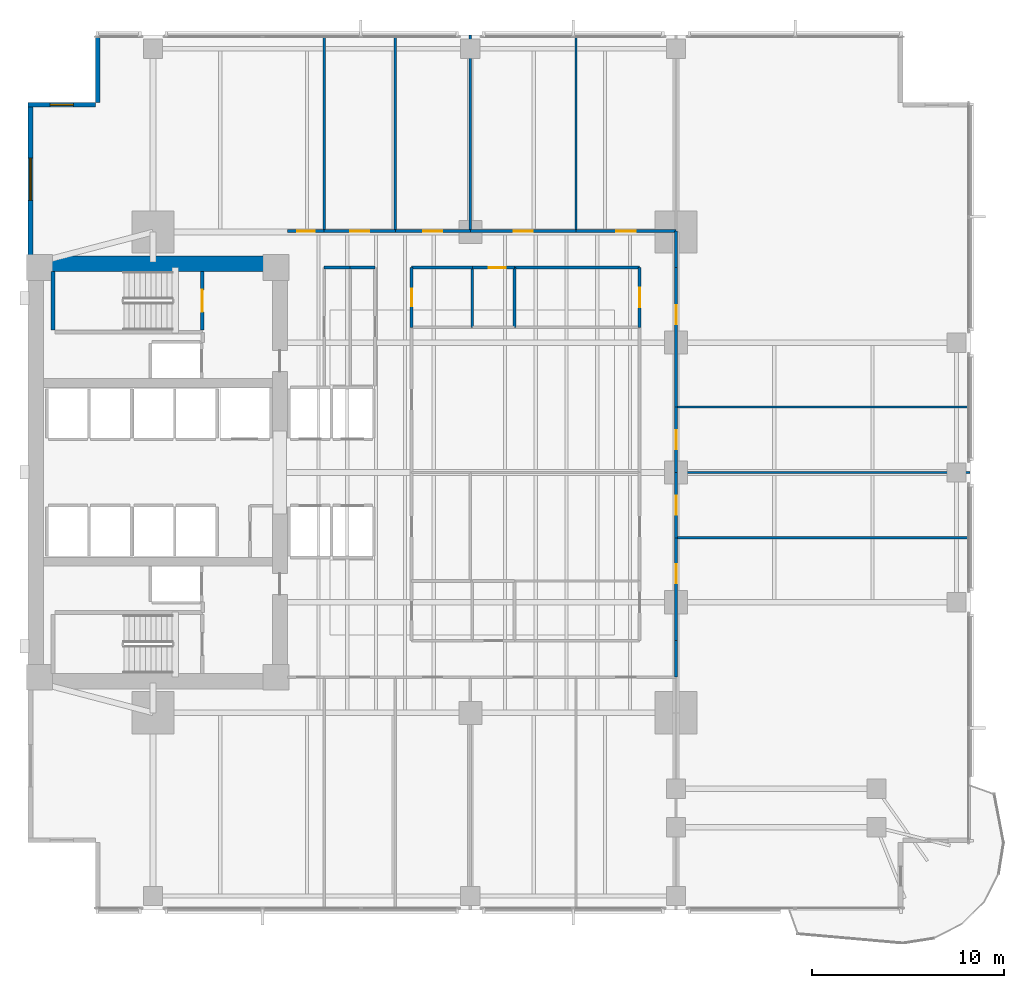
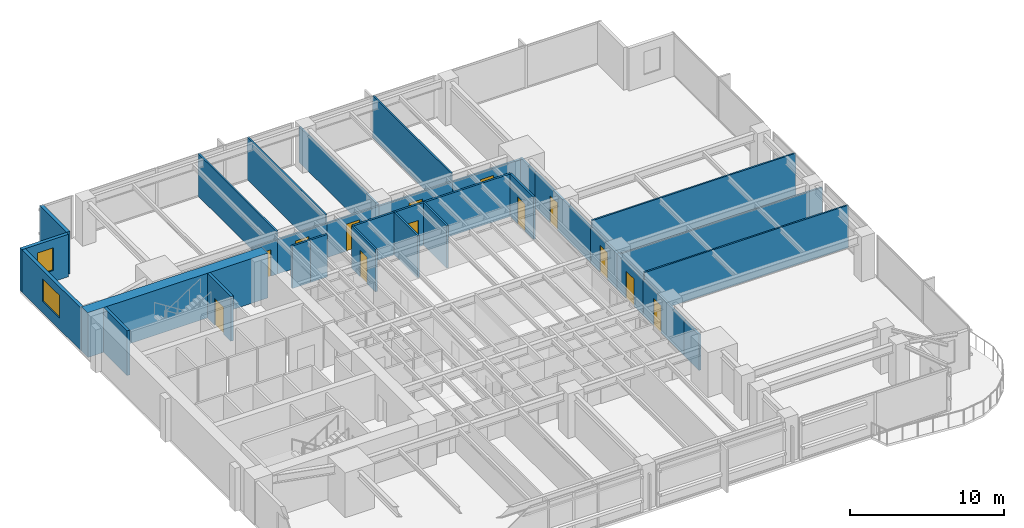
# One storey, part 10 of 15: 33 walls, 13 doors, 2 windows, 15 openings.
"""IFC4 building model written with IfcOpenShell, lengths in metres."""

from ifc_helpers import new_model, si_unit, direction, frame, frame_2d, origin, place, context, subcontext, project, spatial, rectangle, extrude, material, layer, layer_set, type_object, element, fill, save


model = new_model("IFC4")

# Units and contexts
model_context = context("Model", 3, precision=1e-05, world=origin(), true_north=direction((0.0, 1.0)))
body_context = subcontext(model_context, "Body", "Model", "MODEL_VIEW")
ifc_project = project(units=[si_unit("LENGTHUNIT", "METRE"), si_unit("AREAUNIT", "SQUARE_METRE"), si_unit("VOLUMEUNIT", "CUBIC_METRE"), si_unit("PLANEANGLEUNIT", "RADIAN"), si_unit("MASSUNIT", "GRAM", prefix="KILO")], contexts=[model_context])

# Site, building, storey
site_placement = place(None, origin())
site = spatial("IfcSite", under=ifc_project, at=site_placement, CompositionType="ELEMENT")
building_placement = place(site_placement, origin())
building = spatial("IfcBuilding", under=site, at=building_placement, Name="Kinhvarn Gate Tower", CompositionType="ELEMENT")
storey_placement = place(building_placement, frame((0.0, 0.0, 57.550048828125)))
storey = spatial("IfcBuildingStorey", under=building, at=storey_placement, Name="L14", CompositionType="ELEMENT", Elevation=57.550048828125)

# Wall
ifc_material_1 = material(Name="Concrete C70/85", Category="concrete")
ifc_layer_1 = layer(ifc_material_1, 0.800048828125)
ifc_layer_set_1 = layer_set([ifc_layer_1], Name="Concrete C70/85")
wall_type_1 = type_object("IfcWallType", Name="WL-CORE-800", PredefinedType="SHEAR", material=ifc_layer_set_1)
wall_1_placement = place(storey_placement, frame((4.5, 36.10009765625, 0.0), z_axis=(0.0, 0.0, 1.0), x_axis=(1.0, 0.0, 0.0)))
element("IfcWall", 1, at=wall_1_placement, inside=storey, type_object=wall_type_1, Name="Core North Shear Wall L14 800 mm", PredefinedType="SHEAR", context=body_context, shape_type="SweptSolid", body=[
    extrude(rectangle(XDim=13.5, YDim=0.800048828125, at=frame_2d((6.75, 0.0))), origin(), (0.0, 0.0, 1.0), 3.550048828125),
])

# Wall, opening, window
ifc_material_2 = material(Name="Fired architectural terracotta", Category="masonry")
ifc_layer_2 = layer(ifc_material_2, 0.25)
ifc_layer_set_2 = layer_set([ifc_layer_2], Name="Fired architectural terracotta")
wall_type_2 = type_object("IfcWallType", Name="WL-EXT-250", PredefinedType="SOLIDWALL", material=ifc_layer_set_2)
wall_2_placement = place(storey_placement, frame((4.625, 44.5, 0.0), z_axis=(0.0, 0.0, 1.0), x_axis=(0.0, -1.0, 0.0)))
wall_2 = element("IfcWall", 2, at=wall_2_placement, inside=storey, type_object=wall_type_2, Name="Exterior Solidwall Wall EW-250 (L14 West-North)", PredefinedType="SOLIDWALL", context=body_context, shape_type="SweptSolid", body=[
    extrude(rectangle(XDim=8.0, YDim=0.25, at=frame_2d((4.0, 0.0))), origin(), (0.0, 0.0, 1.0), 3.369873046875),
])
opening_1_placement = place(wall_2_placement, frame((2.89990234375, 0.0, 0.89990234375)))
opening_1 = element("IfcOpeningElement", 3, at=opening_1_placement, cuts=wall_2, Name="Opening WN-01", PredefinedType="OPENING", context=body_context, shape_type="SweptSolid", body=[
    extrude(rectangle(XDim=2.199951171875, YDim=1.800048828125, at=frame_2d((1.10009765625, 0.89990234375))), frame((0.0, 0.135009765625, 0.0), z_axis=(0.0, -1.0, 0.0), x_axis=(1.0, 0.0, 0.0)), (0.0, 0.0, 1.0), 0.27001953125),
])
ifc_material_3 = material(Name="Clear low-e double glazing", Category="glass")
window_type_1 = type_object("IfcWindowType", Name="WIN-RIB-2200", PartitioningType="SINGLE_PANEL", PredefinedType="WINDOW", material=ifc_material_3)
window_1_placement = place(opening_1_placement, origin())
window_1 = element("IfcWindow", 4, at=window_1_placement, inside=storey, type_object=window_type_1, Name="West Flank Double-Glazed Ribbon Window 2200x1800 mm (L14)", OverallHeight=1.800048828125, OverallWidth=2.199951171875, PartitioningType="SINGLE_PANEL", PredefinedType="WINDOW", context=body_context, shape_type="SweptSolid", body=[
    extrude(rectangle(XDim=2.199951171875, YDim=1.800048828125, at=frame_2d((1.10009765625, 0.89990234375))), frame((0.0, 0.030029296875, 0.0), z_axis=(0.0, -1.0, 0.0), x_axis=(1.0, 0.0, 0.0)), (0.0, 0.0, 1.0), 0.06005859375),
])
fill(opening_1, window_1)

# Wall
wall_3_placement = place(storey_placement, frame((8.125, 48.0, 0.0), z_axis=(0.0, 0.0, 1.0), x_axis=(0.0, -1.0, 0.0)))
element("IfcWall", 5, at=wall_3_placement, inside=storey, type_object=wall_type_2, Name="Exterior Solidwall Wall EW-250 (L14 NW-Notch-1)", PredefinedType="SOLIDWALL", context=body_context, shape_type="SweptSolid", body=[
    extrude(rectangle(XDim=3.5, YDim=0.25, at=frame_2d((1.75, 0.0))), origin(), (0.0, 0.0, 1.0), 3.369873046875),
])

# Wall, opening, window
wall_4_placement = place(storey_placement, frame((8.0, 44.375, 0.0), z_axis=(0.0, 0.0, 1.0), x_axis=(-1.0, 0.0, 0.0)))
wall_4 = element("IfcWall", 6, at=wall_4_placement, inside=storey, type_object=wall_type_2, Name="Exterior Solidwall Wall EW-250 (L14 NW-Notch-2)", PredefinedType="SOLIDWALL", context=body_context, shape_type="SweptSolid", body=[
    extrude(rectangle(XDim=3.5, YDim=0.25, at=frame_2d((1.75, 0.0))), origin(), (0.0, 0.0, 1.0), 3.369873046875),
])
opening_2_placement = place(wall_4_placement, frame((1.14990234375, 0.0, 0.89990234375)))
opening_2 = element("IfcOpeningElement", 7, at=opening_2_placement, cuts=wall_4, Name="Opening WN-02", PredefinedType="OPENING", context=body_context, shape_type="SweptSolid", body=[
    extrude(rectangle(XDim=1.199951171875, YDim=1.800048828125, at=frame_2d((0.60009765625, 0.89990234375))), frame((0.0, 0.135009765625, 0.0), z_axis=(0.0, -1.0, 0.0), x_axis=(1.0, 0.0, 0.0)), (0.0, 0.0, 1.0), 0.27001953125),
])
window_type_2 = type_object("IfcWindowType", Name="WIN-NTC-1200", PartitioningType="SINGLE_PANEL", PredefinedType="WINDOW", material=ifc_material_3)
window_2_placement = place(opening_2_placement, origin())
window_2 = element("IfcWindow", 8, at=window_2_placement, inside=storey, type_object=window_type_2, Name="Recessed Corner Notch Punched Window 1200x1800 mm (L14)", OverallHeight=1.800048828125, OverallWidth=1.199951171875, PartitioningType="SINGLE_PANEL", PredefinedType="WINDOW", context=body_context, shape_type="SweptSolid", body=[
    extrude(rectangle(XDim=1.199951171875, YDim=1.800048828125, at=frame_2d((0.60009765625, 0.89990234375))), frame((0.0, 0.030029296875, 0.0), z_axis=(0.0, -1.0, 0.0), x_axis=(1.0, 0.0, 0.0)), (0.0, 0.0, 1.0), 0.06005859375),
])
fill(opening_2, window_2)

# Walls
ifc_material_4 = material(Name="Gypsum acoustic partition board")
ifc_layer_3 = layer(ifc_material_4, 0.14990234375)
ifc_layer_set_3 = layer_set([ifc_layer_3], Name="Gypsum acoustic partition board")
wall_type_3 = type_object("IfcWallType", Name="WL-PLM-150", PredefinedType="PLUMBINGWALL", material=ifc_layer_set_3)
for number, where, z_axis, x_axis, name in (
    (9, (27.60009765625, 32.800048828125, 0.0), (0.0, 0.0, 1.0), (0.0, 1.0, 0.0), "Interior Partition PLW-150 (L14)"),
    (10, (29.800048828125, 32.800048828125, 0.0), (0.0, 0.0, 1.0), (0.0, 1.0, 0.0), "Interior Partition PLW-150 (L14)"),
):
    element("IfcWall", number, at=place(storey_placement, frame(where, z_axis=z_axis, x_axis=x_axis)), inside=storey, type_object=wall_type_3, Name=name, PredefinedType="PLUMBINGWALL", context=body_context, shape_type="SweptSolid", body=[
        extrude(rectangle(XDim=3.099853515625, YDim=0.14990234375, at=frame_2d((1.5498046875, 0.0))), origin(), (0.0, 0.0, 1.0), 3.369873046875),
    ])

# Wall, opening, door
ifc_layer_4 = layer(ifc_material_4, 0.14990234375)
ifc_layer_set_4 = layer_set([ifc_layer_4], Name="Gypsum acoustic partition board")
wall_type_4 = type_object("IfcWallType", Name="WL-PLM-150F", PredefinedType="PLUMBINGWALL", material=ifc_layer_set_4)
wall_5_placement = place(storey_placement, frame((24.449951171875, 32.800048828125, 0.0), z_axis=(0.0, 0.0, 1.0), x_axis=(0.0, 1.0, 0.0)))
wall_5 = element("IfcWall", 11, at=wall_5_placement, inside=storey, type_object=wall_type_4, Name="Interior Partition PLW-150F (L14)", PredefinedType="PLUMBINGWALL", context=body_context, shape_type="SweptSolid", body=[
    extrude(rectangle(XDim=3.099853515625, YDim=0.14990234375, at=frame_2d((1.5498046875, 0.0))), origin(), (0.0, 0.0, 1.0), 3.369873046875),
])
opening_3_placement = place(wall_5_placement, frame((1.10009765625, 0.0, 0.0)))
opening_3 = element("IfcOpeningElement", 12, at=opening_3_placement, cuts=wall_5, Name="Opening FD-04", PredefinedType="OPENING", context=body_context, shape_type="SweptSolid", body=[
    extrude(rectangle(XDim=0.89990234375, YDim=2.10009765625, at=frame_2d((0.449951171875, 1.050048828125))), frame((0.0, 0.0849609375, 0.0), z_axis=(0.0, -1.0, 0.0), x_axis=(1.0, 0.0, 0.0)), (0.0, 0.0, 1.0), 0.169921875),
])
ifc_material_5 = material(Name="Anodised aluminium AW-6063", Category="aluminium")
door_type_1 = type_object("IfcDoorType", Name="DR-FD-900", OperationType="NOTDEFINED", PredefinedType="DOOR", material=ifc_material_5)
door_1_placement = place(opening_3_placement, origin())
door_1 = element("IfcDoor", 13, at=door_1_placement, inside=storey, type_object=door_type_1, Name="Rated Riser & Service Closet Fire Door 900x2100 mm (L14)", OperationType="SINGLE_SWING_LEFT", OverallHeight=2.10009765625, OverallWidth=0.89990234375, PredefinedType="DOOR", context=body_context, shape_type="SweptSolid", body=[
    extrude(rectangle(XDim=0.89990234375, YDim=2.10009765625, at=frame_2d((0.449951171875, 1.050048828125))), frame((0.0, 0.02490234375, 0.0), z_axis=(0.0, -1.0, 0.0), x_axis=(1.0, 0.0, 0.0)), (0.0, 0.0, 1.0), 0.050048828125),
])
fill(opening_3, door_1)

# Wall
wall_6_placement = place(storey_placement, frame((24.449951171875, 35.89990234375, 0.0), z_axis=(0.0, 0.0, 1.0), x_axis=(1.0, 0.0, 0.0)))
element("IfcWall", 14, at=wall_6_placement, inside=storey, type_object=wall_type_4, Name="Interior Partition PLW-150F (L14)", PredefinedType="PLUMBINGWALL", context=body_context, shape_type="SweptSolid", body=[
    extrude(rectangle(XDim=3.150146484375, YDim=0.14990234375, at=frame_2d((1.5751953125, 0.0))), origin(), (0.0, 0.0, 1.0), 3.369873046875),
])

# Wall, opening, door
wall_7_placement = place(storey_placement, frame((27.60009765625, 35.89990234375, 0.0), z_axis=(0.0, 0.0, 1.0), x_axis=(1.0, 0.0, 0.0)))
wall_7 = element("IfcWall", 15, at=wall_7_placement, inside=storey, type_object=wall_type_4, Name="Interior Partition PLW-150F (L14)", PredefinedType="PLUMBINGWALL", context=body_context, shape_type="SweptSolid", body=[
    extrude(rectangle(XDim=2.199951171875, YDim=0.14990234375, at=frame_2d((1.10009765625, 0.0))), origin(), (0.0, 0.0, 1.0), 3.369873046875),
])
opening_4_placement = place(wall_7_placement, frame((0.85107421875, 0.0, 0.0)))
opening_4 = element("IfcOpeningElement", 16, at=opening_4_placement, cuts=wall_7, Name="Opening FD-04", PredefinedType="OPENING", context=body_context, shape_type="SweptSolid", body=[
    extrude(rectangle(XDim=0.89990234375, YDim=2.10009765625, at=frame_2d((0.449951171875, 1.050048828125))), frame((0.0, 0.0849609375, 0.0), z_axis=(0.0, -1.0, 0.0), x_axis=(1.0, 0.0, 0.0)), (0.0, 0.0, 1.0), 0.169921875),
])
door_2_placement = place(opening_4_placement, origin())
door_2 = element("IfcDoor", 17, at=door_2_placement, inside=storey, type_object=door_type_1, Name="Rated Riser & Service Closet Fire Door 900x2100 mm (L14)", OperationType="SINGLE_SWING_LEFT", OverallHeight=2.10009765625, OverallWidth=0.89990234375, PredefinedType="DOOR", context=body_context, shape_type="SweptSolid", body=[
    extrude(rectangle(XDim=0.89990234375, YDim=2.10009765625, at=frame_2d((0.449951171875, 1.050048828125))), frame((0.0, 0.02490234375, 0.0), z_axis=(0.0, -1.0, 0.0), x_axis=(1.0, 0.0, 0.0)), (0.0, 0.0, 1.0), 0.050048828125),
])
fill(opening_4, door_2)

# Walls
ifc_layer_5 = layer(ifc_material_4, 0.1201171875)
ifc_layer_set_5 = layer_set([ifc_layer_5], Name="Gypsum acoustic partition board")
wall_type_5 = type_object("IfcWallType", Name="WL-PRT-120", PredefinedType="PARTITIONING", material=ifc_layer_set_5)
for number, where, z_axis, x_axis, name in (
    (18, (19.89990234375, 37.800048828125, 0.0), (0.0, 0.0, 1.0), (0.0, 1.0, 0.0), "Interior Partition PW-120 (L14)"),
    (19, (23.60009765625, 37.800048828125, 0.0), (0.0, 0.0, 1.0), (0.0, 1.0, 0.0), "Interior Partition PW-120 (L14)"),
):
    element("IfcWall", number, at=place(storey_placement, frame(where, z_axis=z_axis, x_axis=x_axis)), inside=storey, type_object=wall_type_5, Name=name, PredefinedType="PARTITIONING", context=body_context, shape_type="SweptSolid", body=[
        extrude(rectangle(XDim=10.18994140625, YDim=0.1201171875, at=frame_2d((5.094970703125, 0.0))), origin(), (0.0, 0.0, 1.0), 3.369873046875),
    ])
wall_8_placement = place(storey_placement, frame((27.5, 37.800048828125, 0.0), z_axis=(0.0, 0.0, 1.0), x_axis=(0.0, 1.0, 0.0)))
element("IfcWall", 20, at=wall_8_placement, inside=storey, type_object=wall_type_5, Name="Interior Partition PW-120 (L14)", PredefinedType="PARTITIONING", context=body_context, shape_type="SweptSolid", body=[
    extrude(rectangle(XDim=10.18994140625, YDim=0.1201171875, at=frame_2d((5.094970703125, 0.0))), origin(), (0.0, 0.0, 1.0), 2.820068359375),
])
wall_9_placement = place(storey_placement, frame((33.0, 37.800048828125, 0.0), z_axis=(0.0, 0.0, 1.0), x_axis=(0.0, 1.0, 0.0)))
element("IfcWall", 21, at=wall_9_placement, inside=storey, type_object=wall_type_5, Name="Interior Partition PW-120 (L14)", PredefinedType="PARTITIONING", context=body_context, shape_type="SweptSolid", body=[
    extrude(rectangle(XDim=10.18994140625, YDim=0.1201171875, at=frame_2d((5.094970703125, 0.0))), origin(), (0.0, 0.0, 1.0), 3.369873046875),
])
wall_10_placement = place(storey_placement, frame((38.199951171875, 21.85009765625, 0.0), z_axis=(0.0, 0.0, 1.0), x_axis=(1.0, 0.0, 0.0)))
element("IfcWall", 22, at=wall_10_placement, inside=storey, type_object=wall_type_5, Name="Interior Partition PW-120 (L14)", PredefinedType="PARTITIONING", context=body_context, shape_type="SweptSolid", body=[
    extrude(rectangle(XDim=15.2900390625, YDim=0.1201171875, at=frame_2d((7.64501953125, 0.0))), origin(), (0.0, 0.0, 1.0), 3.369873046875),
])
wall_11_placement = place(storey_placement, frame((38.199951171875, 25.25, 0.0), z_axis=(0.0, 0.0, 1.0), x_axis=(1.0, 0.0, 0.0)))
element("IfcWall", 23, at=wall_11_placement, inside=storey, type_object=wall_type_5, Name="Interior Partition PW-120 (L14)", PredefinedType="PARTITIONING", context=body_context, shape_type="SweptSolid", body=[
    extrude(rectangle(XDim=15.2900390625, YDim=0.1201171875, at=frame_2d((7.64501953125, 0.0))), origin(), (0.0, 0.0, 1.0), 2.719970703125),
])
wall_12_placement = place(storey_placement, frame((38.199951171875, 28.64990234375, 0.0), z_axis=(0.0, 0.0, 1.0), x_axis=(1.0, 0.0, 0.0)))
element("IfcWall", 24, at=wall_12_placement, inside=storey, type_object=wall_type_5, Name="Interior Partition PW-120 (L14)", PredefinedType="PARTITIONING", context=body_context, shape_type="SweptSolid", body=[
    extrude(rectangle(XDim=15.2900390625, YDim=0.1201171875, at=frame_2d((7.64501953125, 0.0))), origin(), (0.0, 0.0, 1.0), 3.369873046875),
])
ifc_layer_6 = layer(ifc_material_4, 0.14990234375)
ifc_layer_set_6 = layer_set([ifc_layer_6], Name="Gypsum acoustic partition board")
wall_type_6 = type_object("IfcWallType", Name="WL-PRT-150F", PredefinedType="PARTITIONING", material=ifc_layer_set_6)
wall_13_placement = place(storey_placement, frame((38.199951171875, 14.60009765625, 0.0), z_axis=(0.0, 0.0, 1.0), x_axis=(0.0, 1.0, 0.0)))
element("IfcWall", 25, at=wall_13_placement, inside=storey, type_object=wall_type_6, Name="Interior Partition PW-150F (L14)", PredefinedType="PARTITIONING", context=body_context, shape_type="SweptSolid", body=[
    extrude(rectangle(XDim=1.89990234375, YDim=0.14990234375, at=frame_2d((0.949951171875, 0.0))), origin(), (0.0, 0.0, 1.0), 2.820068359375),
])
wall_14_placement = place(storey_placement, frame((19.89990234375, 35.89990234375, 0.0), z_axis=(0.0, 0.0, 1.0), x_axis=(1.0, 0.0, 0.0)))
element("IfcWall", 26, at=wall_14_placement, inside=storey, type_object=wall_type_6, Name="Interior Partition PW-150F (L14)", PredefinedType="PARTITIONING", context=body_context, shape_type="SweptSolid", body=[
    extrude(rectangle(XDim=1.35009765625, YDim=0.14990234375, at=frame_2d((0.675048828125, 0.0))), origin(), (0.0, 0.0, 1.0), 3.369873046875),
])
wall_15_placement = place(storey_placement, frame((21.25, 35.89990234375, 0.0), z_axis=(0.0, 0.0, 1.0), x_axis=(1.0, 0.0, 0.0)))
element("IfcWall", 27, at=wall_15_placement, inside=storey, type_object=wall_type_6, Name="Interior Partition PW-150F (L14)", PredefinedType="PARTITIONING", context=body_context, shape_type="SweptSolid", body=[
    extrude(rectangle(XDim=1.300048828125, YDim=0.14990234375, at=frame_2d((0.64990234375, 0.0))), origin(), (0.0, 0.0, 1.0), 3.369873046875),
])
wall_16_placement = place(storey_placement, frame((29.800048828125, 35.89990234375, 0.0), z_axis=(0.0, 0.0, 1.0), x_axis=(1.0, 0.0, 0.0)))
element("IfcWall", 28, at=wall_16_placement, inside=storey, type_object=wall_type_6, Name="Interior Partition PW-150F (L14)", PredefinedType="PARTITIONING", context=body_context, shape_type="SweptSolid", body=[
    extrude(rectangle(XDim=6.5, YDim=0.14990234375, at=frame_2d((3.25, 0.0))), origin(), (0.0, 0.0, 1.0), 3.369873046875),
])

# Wall, opening, door
wall_17_placement = place(storey_placement, frame((18.0, 37.800048828125, 0.0), z_axis=(0.0, 0.0, 1.0), x_axis=(1.0, 0.0, 0.0)))
wall_17 = element("IfcWall", 29, at=wall_17_placement, inside=storey, type_object=wall_type_6, Name="Interior Partition PW-150F (L14)", PredefinedType="PARTITIONING", context=body_context, shape_type="SweptSolid", body=[
    extrude(rectangle(XDim=1.89990234375, YDim=0.14990234375, at=frame_2d((0.949951171875, 0.0))), origin(), (0.0, 0.0, 1.0), 2.719970703125),
])
opening_5_placement = place(wall_17_placement, frame((0.5, 0.0, 0.0)))
opening_5 = element("IfcOpeningElement", 30, at=opening_5_placement, cuts=wall_17, Name="Opening ID-03", PredefinedType="OPENING", context=body_context, shape_type="SweptSolid", body=[
    extrude(rectangle(XDim=0.89990234375, YDim=2.10009765625, at=frame_2d((0.449951171875, 1.050048828125))), frame((0.0, 0.0849609375, 0.0), z_axis=(0.0, -1.0, 0.0), x_axis=(1.0, 0.0, 0.0)), (0.0, 0.0, 1.0), 0.169921875),
])
door_type_2 = type_object("IfcDoorType", Name="DR-INT-900", OperationType="NOTDEFINED", PredefinedType="DOOR", material=ifc_material_5)
door_3_placement = place(opening_5_placement, origin())
door_3 = element("IfcDoor", 31, at=door_3_placement, inside=storey, type_object=door_type_2, Name="Cellular Office & Restroom Door 900x2100 mm (L14)", OperationType="SINGLE_SWING_RIGHT", OverallHeight=2.10009765625, OverallWidth=0.89990234375, PredefinedType="DOOR", context=body_context, shape_type="SweptSolid", body=[
    extrude(rectangle(XDim=0.89990234375, YDim=2.10009765625, at=frame_2d((0.449951171875, 1.050048828125))), frame((0.0, 0.02490234375, 0.0), z_axis=(0.0, -1.0, 0.0), x_axis=(1.0, 0.0, 0.0)), (0.0, 0.0, 1.0), 0.050048828125),
])
fill(opening_5, door_3)

wall_18_placement = place(storey_placement, frame((19.89990234375, 37.800048828125, 0.0), z_axis=(0.0, 0.0, 1.0), x_axis=(1.0, 0.0, 0.0)))
wall_18 = element("IfcWall", 32, at=wall_18_placement, inside=storey, type_object=wall_type_6, Name="Interior Partition PW-150F (L14)", PredefinedType="PARTITIONING", context=body_context, shape_type="SweptSolid", body=[
    extrude(rectangle(XDim=3.7001953125, YDim=0.14990234375, at=frame_2d((1.85009765625, 0.0))), origin(), (0.0, 0.0, 1.0), 2.719970703125),
])
opening_6_placement = place(wall_18_placement, frame((1.35009765625, 0.0, 0.0)))
opening_6 = element("IfcOpeningElement", 33, at=opening_6_placement, cuts=wall_18, Name="Opening ID-02", PredefinedType="OPENING", context=body_context, shape_type="SweptSolid", body=[
    extrude(rectangle(XDim=1.0, YDim=2.14990234375, at=frame_2d((0.5, 1.074951171875))), frame((0.0, 0.0849609375, 0.0), z_axis=(0.0, -1.0, 0.0), x_axis=(1.0, 0.0, 0.0)), (0.0, 0.0, 1.0), 0.169921875),
])
door_type_3 = type_object("IfcDoorType", Name="DR-INT-1000", OperationType="NOTDEFINED", PredefinedType="DOOR", material=ifc_material_5)
door_4_placement = place(opening_6_placement, origin())
door_4 = element("IfcDoor", 34, at=door_4_placement, inside=storey, type_object=door_type_3, Name="Standard Office & Meeting Room Door 1000x2150 mm (L14)", OperationType="SINGLE_SWING_LEFT", OverallHeight=2.14990234375, OverallWidth=1.0, PredefinedType="DOOR", context=body_context, shape_type="SweptSolid", body=[
    extrude(rectangle(XDim=1.0, YDim=2.14990234375, at=frame_2d((0.5, 1.074951171875))), frame((0.0, 0.02490234375, 0.0), z_axis=(0.0, -1.0, 0.0), x_axis=(1.0, 0.0, 0.0)), (0.0, 0.0, 1.0), 0.050048828125),
])
fill(opening_6, door_4)

wall_19_placement = place(storey_placement, frame((23.60009765625, 37.800048828125, 0.0), z_axis=(0.0, 0.0, 1.0), x_axis=(1.0, 0.0, 0.0)))
wall_19 = element("IfcWall", 35, at=wall_19_placement, inside=storey, type_object=wall_type_6, Name="Interior Partition PW-150F (L14)", PredefinedType="PARTITIONING", context=body_context, shape_type="SweptSolid", body=[
    extrude(rectangle(XDim=3.89990234375, YDim=0.14990234375, at=frame_2d((1.949951171875, 0.0))), origin(), (0.0, 0.0, 1.0), 2.719970703125),
])
opening_7_placement = place(wall_19_placement, frame((1.449951171875, 0.0, 0.0)))
opening_7 = element("IfcOpeningElement", 36, at=opening_7_placement, cuts=wall_19, Name="Opening ID-02", PredefinedType="OPENING", context=body_context, shape_type="SweptSolid", body=[
    extrude(rectangle(XDim=1.0, YDim=2.14990234375, at=frame_2d((0.5, 1.074951171875))), frame((0.0, 0.0849609375, 0.0), z_axis=(0.0, -1.0, 0.0), x_axis=(1.0, 0.0, 0.0)), (0.0, 0.0, 1.0), 0.169921875),
])
door_5_placement = place(opening_7_placement, origin())
door_5 = element("IfcDoor", 37, at=door_5_placement, inside=storey, type_object=door_type_3, Name="Standard Office & Meeting Room Door 1000x2150 mm (L14)", OperationType="SINGLE_SWING_RIGHT", OverallHeight=2.14990234375, OverallWidth=1.0, PredefinedType="DOOR", context=body_context, shape_type="SweptSolid", body=[
    extrude(rectangle(XDim=1.0, YDim=2.14990234375, at=frame_2d((0.5, 1.074951171875))), frame((0.0, 0.02490234375, 0.0), z_axis=(0.0, -1.0, 0.0), x_axis=(1.0, 0.0, 0.0)), (0.0, 0.0, 1.0), 0.050048828125),
])
fill(opening_7, door_5)

wall_20_placement = place(storey_placement, frame((27.5, 37.800048828125, 0.0), z_axis=(0.0, 0.0, 1.0), x_axis=(1.0, 0.0, 0.0)))
wall_20 = element("IfcWall", 38, at=wall_20_placement, inside=storey, type_object=wall_type_6, Name="Interior Partition PW-150F (L14)", PredefinedType="PARTITIONING", context=body_context, shape_type="SweptSolid", body=[
    extrude(rectangle(XDim=5.5, YDim=0.14990234375, at=frame_2d((2.75, 0.0))), origin(), (0.0, 0.0, 1.0), 2.719970703125),
])
opening_8_placement = place(wall_20_placement, frame((2.25, 0.0, 0.0)))
opening_8 = element("IfcOpeningElement", 39, at=opening_8_placement, cuts=wall_20, Name="Opening ID-02", PredefinedType="OPENING", context=body_context, shape_type="SweptSolid", body=[
    extrude(rectangle(XDim=1.0, YDim=2.14990234375, at=frame_2d((0.5, 1.074951171875))), frame((0.0, 0.0849609375, 0.0), z_axis=(0.0, -1.0, 0.0), x_axis=(1.0, 0.0, 0.0)), (0.0, 0.0, 1.0), 0.169921875),
])
door_6_placement = place(opening_8_placement, origin())
door_6 = element("IfcDoor", 40, at=door_6_placement, inside=storey, type_object=door_type_3, Name="Standard Office & Meeting Room Door 1000x2150 mm (L14)", OperationType="SINGLE_SWING_LEFT", OverallHeight=2.14990234375, OverallWidth=1.0, PredefinedType="DOOR", context=body_context, shape_type="SweptSolid", body=[
    extrude(rectangle(XDim=1.0, YDim=2.14990234375, at=frame_2d((0.5, 1.074951171875))), frame((0.0, 0.02490234375, 0.0), z_axis=(0.0, -1.0, 0.0), x_axis=(1.0, 0.0, 0.0)), (0.0, 0.0, 1.0), 0.050048828125),
])
fill(opening_8, door_6)

wall_21_placement = place(storey_placement, frame((33.0, 37.800048828125, 0.0), z_axis=(0.0, 0.0, 1.0), x_axis=(1.0, 0.0, 0.0)))
wall_21 = element("IfcWall", 41, at=wall_21_placement, inside=storey, type_object=wall_type_6, Name="Interior Partition PW-150F (L14)", PredefinedType="PARTITIONING", context=body_context, shape_type="SweptSolid", body=[
    extrude(rectangle(XDim=5.199951171875, YDim=0.14990234375, at=frame_2d((2.60009765625, 0.0))), origin(), (0.0, 0.0, 1.0), 2.719970703125),
])
opening_9_placement = place(wall_21_placement, frame((2.10009765625, 0.0, 0.0)))
opening_9 = element("IfcOpeningElement", 42, at=opening_9_placement, cuts=wall_21, Name="Opening ID-02", PredefinedType="OPENING", context=body_context, shape_type="SweptSolid", body=[
    extrude(rectangle(XDim=1.0, YDim=2.14990234375, at=frame_2d((0.5, 1.074951171875))), frame((0.0, 0.0849609375, 0.0), z_axis=(0.0, -1.0, 0.0), x_axis=(1.0, 0.0, 0.0)), (0.0, 0.0, 1.0), 0.169921875),
])
door_7_placement = place(opening_9_placement, origin())
door_7 = element("IfcDoor", 43, at=door_7_placement, inside=storey, type_object=door_type_3, Name="Standard Office & Meeting Room Door 1000x2150 mm (L14)", OperationType="SINGLE_SWING_RIGHT", OverallHeight=2.14990234375, OverallWidth=1.0, PredefinedType="DOOR", context=body_context, shape_type="SweptSolid", body=[
    extrude(rectangle(XDim=1.0, YDim=2.14990234375, at=frame_2d((0.5, 1.074951171875))), frame((0.0, 0.02490234375, 0.0), z_axis=(0.0, -1.0, 0.0), x_axis=(1.0, 0.0, 0.0)), (0.0, 0.0, 1.0), 0.050048828125),
])
fill(opening_9, door_7)

# Wall
wall_22_placement = place(storey_placement, frame((38.199951171875, 35.89990234375, 0.0), z_axis=(0.0, 0.0, 1.0), x_axis=(0.0, 1.0, 0.0)))
element("IfcWall", 44, at=wall_22_placement, inside=storey, type_object=wall_type_6, Name="Interior Partition PW-150F (L14)", PredefinedType="PARTITIONING", context=body_context, shape_type="SweptSolid", body=[
    extrude(rectangle(XDim=1.900146484375, YDim=0.14990234375, at=frame_2d((0.9501953125, 0.0))), origin(), (0.0, 0.0, 1.0), 2.820068359375),
])

# Wall, opening, door
wall_23_placement = place(storey_placement, frame((36.300048828125, 32.800048828125, 0.0), z_axis=(0.0, 0.0, 1.0), x_axis=(0.0, 1.0, 0.0)))
wall_23 = element("IfcWall", 45, at=wall_23_placement, inside=storey, type_object=wall_type_6, Name="Interior Partition PW-150F (L14)", PredefinedType="PARTITIONING", context=body_context, shape_type="SweptSolid", body=[
    extrude(rectangle(XDim=3.099853515625, YDim=0.14990234375, at=frame_2d((1.5498046875, 0.0))), origin(), (0.0, 0.0, 1.0), 3.369873046875),
])
opening_10_placement = place(wall_23_placement, frame((1.050048828125, 0.0, 0.0)))
opening_10 = element("IfcOpeningElement", 46, at=opening_10_placement, cuts=wall_23, Name="Opening ID-02", PredefinedType="OPENING", context=body_context, shape_type="SweptSolid", body=[
    extrude(rectangle(XDim=1.0, YDim=2.14990234375, at=frame_2d((0.5, 1.074951171875))), frame((0.0, 0.0849609375, 0.0), z_axis=(0.0, -1.0, 0.0), x_axis=(1.0, 0.0, 0.0)), (0.0, 0.0, 1.0), 0.169921875),
])
door_8_placement = place(opening_10_placement, origin())
door_8 = element("IfcDoor", 47, at=door_8_placement, inside=storey, type_object=door_type_3, Name="Standard Office & Meeting Room Door 1000x2150 mm (L14)", OperationType="SINGLE_SWING_RIGHT", OverallHeight=2.14990234375, OverallWidth=1.0, PredefinedType="DOOR", context=body_context, shape_type="SweptSolid", body=[
    extrude(rectangle(XDim=1.0, YDim=2.14990234375, at=frame_2d((0.5, 1.074951171875))), frame((0.0, 0.02490234375, 0.0), z_axis=(0.0, -1.0, 0.0), x_axis=(1.0, 0.0, 0.0)), (0.0, 0.0, 1.0), 0.050048828125),
])
fill(opening_10, door_8)

wall_24_placement = place(storey_placement, frame((38.199951171875, 16.5, 0.0), z_axis=(0.0, 0.0, 1.0), x_axis=(0.0, 1.0, 0.0)))
wall_24 = element("IfcWall", 48, at=wall_24_placement, inside=storey, type_object=wall_type_6, Name="Interior Partition PW-150F (L14)", PredefinedType="PARTITIONING", context=body_context, shape_type="SweptSolid", body=[
    extrude(rectangle(XDim=5.35009765625, YDim=0.14990234375, at=frame_2d((2.675048828125, 0.0))), origin(), (0.0, 0.0, 1.0), 2.820068359375),
])
opening_11_placement = place(wall_24_placement, frame((2.988037109375, 0.0, 0.0)))
opening_11 = element("IfcOpeningElement", 49, at=opening_11_placement, cuts=wall_24, Name="Opening ID-02", PredefinedType="OPENING", context=body_context, shape_type="SweptSolid", body=[
    extrude(rectangle(XDim=1.0, YDim=2.14990234375, at=frame_2d((0.5, 1.074951171875))), frame((0.0, 0.0849609375, 0.0), z_axis=(0.0, -1.0, 0.0), x_axis=(1.0, 0.0, 0.0)), (0.0, 0.0, 1.0), 0.169921875),
])
door_9_placement = place(opening_11_placement, origin())
door_9 = element("IfcDoor", 50, at=door_9_placement, inside=storey, type_object=door_type_3, Name="Standard Office & Meeting Room Door 1000x2150 mm (L14)", OperationType="SINGLE_SWING_RIGHT", OverallHeight=2.14990234375, OverallWidth=1.0, PredefinedType="DOOR", context=body_context, shape_type="SweptSolid", body=[
    extrude(rectangle(XDim=1.0, YDim=2.14990234375, at=frame_2d((0.5, 1.074951171875))), frame((0.0, 0.02490234375, 0.0), z_axis=(0.0, -1.0, 0.0), x_axis=(1.0, 0.0, 0.0)), (0.0, 0.0, 1.0), 0.050048828125),
])
fill(opening_11, door_9)

wall_25_placement = place(storey_placement, frame((38.199951171875, 21.85009765625, 0.0), z_axis=(0.0, 0.0, 1.0), x_axis=(0.0, 1.0, 0.0)))
wall_25 = element("IfcWall", 51, at=wall_25_placement, inside=storey, type_object=wall_type_6, Name="Interior Partition PW-150F (L14)", PredefinedType="PARTITIONING", context=body_context, shape_type="SweptSolid", body=[
    extrude(rectangle(XDim=3.39990234375, YDim=0.14990234375, at=frame_2d((1.699951171875, 0.0))), origin(), (0.0, 0.0, 1.0), 2.820068359375),
])
opening_12_placement = place(wall_25_placement, frame((1.199951171875, 0.0, 0.0)))
opening_12 = element("IfcOpeningElement", 52, at=opening_12_placement, cuts=wall_25, Name="Opening ID-02", PredefinedType="OPENING", context=body_context, shape_type="SweptSolid", body=[
    extrude(rectangle(XDim=1.0, YDim=2.14990234375, at=frame_2d((0.5, 1.074951171875))), frame((0.0, 0.0849609375, 0.0), z_axis=(0.0, -1.0, 0.0), x_axis=(1.0, 0.0, 0.0)), (0.0, 0.0, 1.0), 0.169921875),
])
door_10_placement = place(opening_12_placement, origin())
door_10 = element("IfcDoor", 53, at=door_10_placement, inside=storey, type_object=door_type_3, Name="Standard Office & Meeting Room Door 1000x2150 mm (L14)", OperationType="SINGLE_SWING_LEFT", OverallHeight=2.14990234375, OverallWidth=1.0, PredefinedType="DOOR", context=body_context, shape_type="SweptSolid", body=[
    extrude(rectangle(XDim=1.0, YDim=2.14990234375, at=frame_2d((0.5, 1.074951171875))), frame((0.0, 0.02490234375, 0.0), z_axis=(0.0, -1.0, 0.0), x_axis=(1.0, 0.0, 0.0)), (0.0, 0.0, 1.0), 0.050048828125),
])
fill(opening_12, door_10)

wall_26_placement = place(storey_placement, frame((38.199951171875, 25.25, 0.0), z_axis=(0.0, 0.0, 1.0), x_axis=(0.0, 1.0, 0.0)))
wall_26 = element("IfcWall", 54, at=wall_26_placement, inside=storey, type_object=wall_type_6, Name="Interior Partition PW-150F (L14)", PredefinedType="PARTITIONING", context=body_context, shape_type="SweptSolid", body=[
    extrude(rectangle(XDim=3.39990234375, YDim=0.14990234375, at=frame_2d((1.699951171875, 0.0))), origin(), (0.0, 0.0, 1.0), 2.820068359375),
])
opening_13_placement = place(wall_26_placement, frame((1.199951171875, 0.0, 0.0)))
opening_13 = element("IfcOpeningElement", 55, at=opening_13_placement, cuts=wall_26, Name="Opening ID-02", PredefinedType="OPENING", context=body_context, shape_type="SweptSolid", body=[
    extrude(rectangle(XDim=1.0, YDim=2.14990234375, at=frame_2d((0.5, 1.074951171875))), frame((0.0, 0.0849609375, 0.0), z_axis=(0.0, -1.0, 0.0), x_axis=(1.0, 0.0, 0.0)), (0.0, 0.0, 1.0), 0.169921875),
])
door_11_placement = place(opening_13_placement, origin())
door_11 = element("IfcDoor", 56, at=door_11_placement, inside=storey, type_object=door_type_3, Name="Standard Office & Meeting Room Door 1000x2150 mm (L14)", OperationType="SINGLE_SWING_RIGHT", OverallHeight=2.14990234375, OverallWidth=1.0, PredefinedType="DOOR", context=body_context, shape_type="SweptSolid", body=[
    extrude(rectangle(XDim=1.0, YDim=2.14990234375, at=frame_2d((0.5, 1.074951171875))), frame((0.0, 0.02490234375, 0.0), z_axis=(0.0, -1.0, 0.0), x_axis=(1.0, 0.0, 0.0)), (0.0, 0.0, 1.0), 0.050048828125),
])
fill(opening_13, door_11)

wall_27_placement = place(storey_placement, frame((38.199951171875, 28.64990234375, 0.0), z_axis=(0.0, 0.0, 1.0), x_axis=(0.0, 1.0, 0.0)))
wall_27 = element("IfcWall", 57, at=wall_27_placement, inside=storey, type_object=wall_type_6, Name="Interior Partition PW-150F (L14)", PredefinedType="PARTITIONING", context=body_context, shape_type="SweptSolid", body=[
    extrude(rectangle(XDim=7.25, YDim=0.14990234375, at=frame_2d((3.625, 0.0))), origin(), (0.0, 0.0, 1.0), 2.820068359375),
])
opening_14_placement = place(wall_27_placement, frame((4.302978515625, 0.0, 0.0)))
opening_14 = element("IfcOpeningElement", 58, at=opening_14_placement, cuts=wall_27, Name="Opening ID-02", PredefinedType="OPENING", context=body_context, shape_type="SweptSolid", body=[
    extrude(rectangle(XDim=1.0, YDim=2.14990234375, at=frame_2d((0.5, 1.074951171875))), frame((0.0, 0.0849609375, 0.0), z_axis=(0.0, -1.0, 0.0), x_axis=(1.0, 0.0, 0.0)), (0.0, 0.0, 1.0), 0.169921875),
])
door_12_placement = place(opening_14_placement, origin())
door_12 = element("IfcDoor", 59, at=door_12_placement, inside=storey, type_object=door_type_3, Name="Standard Office & Meeting Room Door 1000x2150 mm (L14)", OperationType="SINGLE_SWING_LEFT", OverallHeight=2.14990234375, OverallWidth=1.0, PredefinedType="DOOR", context=body_context, shape_type="SweptSolid", body=[
    extrude(rectangle(XDim=1.0, YDim=2.14990234375, at=frame_2d((0.5, 1.074951171875))), frame((0.0, 0.02490234375, 0.0), z_axis=(0.0, -1.0, 0.0), x_axis=(1.0, 0.0, 0.0)), (0.0, 0.0, 1.0), 0.050048828125),
])
fill(opening_14, door_12)

# Wall
ifc_material_6 = material(Name="Concrete C40/50", Category="concrete")
ifc_layer_7 = layer(ifc_material_6, 0.199951171875)
ifc_layer_set_7 = layer_set([ifc_layer_7], Name="Concrete C40/50")
wall_type_7 = type_object("IfcWallType", Name="WL-SHF-200", PredefinedType="SOLIDWALL", material=ifc_layer_set_7)
wall_28_placement = place(storey_placement, frame((5.7900390625, 32.64990234375, 0.0), z_axis=(0.0, 0.0, 1.0), x_axis=(0.0, 1.0, 0.0)))
element("IfcWall", 60, at=wall_28_placement, inside=storey, type_object=wall_type_7, Name="Stair ST2 West Shaft Wall (L14)", PredefinedType="SOLIDWALL", context=body_context, shape_type="SweptSolid", body=[
    extrude(rectangle(XDim=3.050048828125, YDim=0.199951171875, at=frame_2d((1.52490234375, 0.0))), origin(), (0.0, 0.0, 1.0), 3.550048828125),
])

# Wall, opening, door
wall_29_placement = place(storey_placement, frame((13.56005859375, 32.64990234375, 0.0), z_axis=(0.0, 0.0, 1.0), x_axis=(0.0, 1.0, 0.0)))
wall_29 = element("IfcWall", 61, at=wall_29_placement, inside=storey, type_object=wall_type_7, Name="Stair ST2 East Entry Wall (L14)", PredefinedType="SOLIDWALL", context=body_context, shape_type="SweptSolid", body=[
    extrude(rectangle(XDim=3.050048828125, YDim=0.199951171875, at=frame_2d((1.52490234375, 0.0))), origin(), (0.0, 0.0, 1.0), 3.550048828125),
])
opening_15_placement = place(wall_29_placement, frame((0.949951171875, 0.0, 0.0)))
opening_15 = element("IfcOpeningElement", 62, at=opening_15_placement, cuts=wall_29, Name="Opening FD-01", PredefinedType="OPENING", context=body_context, shape_type="SweptSolid", body=[
    extrude(rectangle(XDim=1.14990234375, YDim=2.14990234375, at=frame_2d((0.574951171875, 1.074951171875))), frame((0.0, 0.10986328125, 0.0), z_axis=(0.0, -1.0, 0.0), x_axis=(1.0, 0.0, 0.0)), (0.0, 0.0, 1.0), 0.219970703125),
])
door_type_4 = type_object("IfcDoorType", Name="DR-ST-1150", OperationType="NOTDEFINED", PredefinedType="DOOR", material=ifc_material_5)
door_13_placement = place(opening_15_placement, origin())
door_13 = element("IfcDoor", 63, at=door_13_placement, inside=storey, type_object=door_type_4, Name="Exit Stair ST2 Fire Door (L14)", OperationType="SINGLE_SWING_LEFT", OverallHeight=2.14990234375, OverallWidth=1.14990234375, PredefinedType="DOOR", context=body_context, shape_type="SweptSolid", body=[
    extrude(rectangle(XDim=1.14990234375, YDim=2.14990234375, at=frame_2d((0.574951171875, 1.074951171875))), frame((0.0, 0.02490234375, 0.0), z_axis=(0.0, -1.0, 0.0), x_axis=(1.0, 0.0, 0.0)), (0.0, 0.0, 1.0), 0.050048828125),
])
fill(opening_15, door_13)

save(model, "model.ifc")
